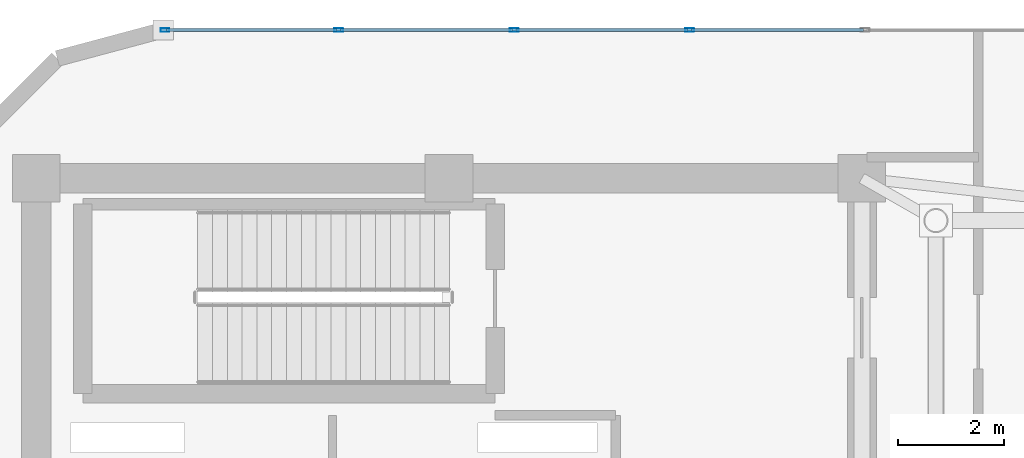
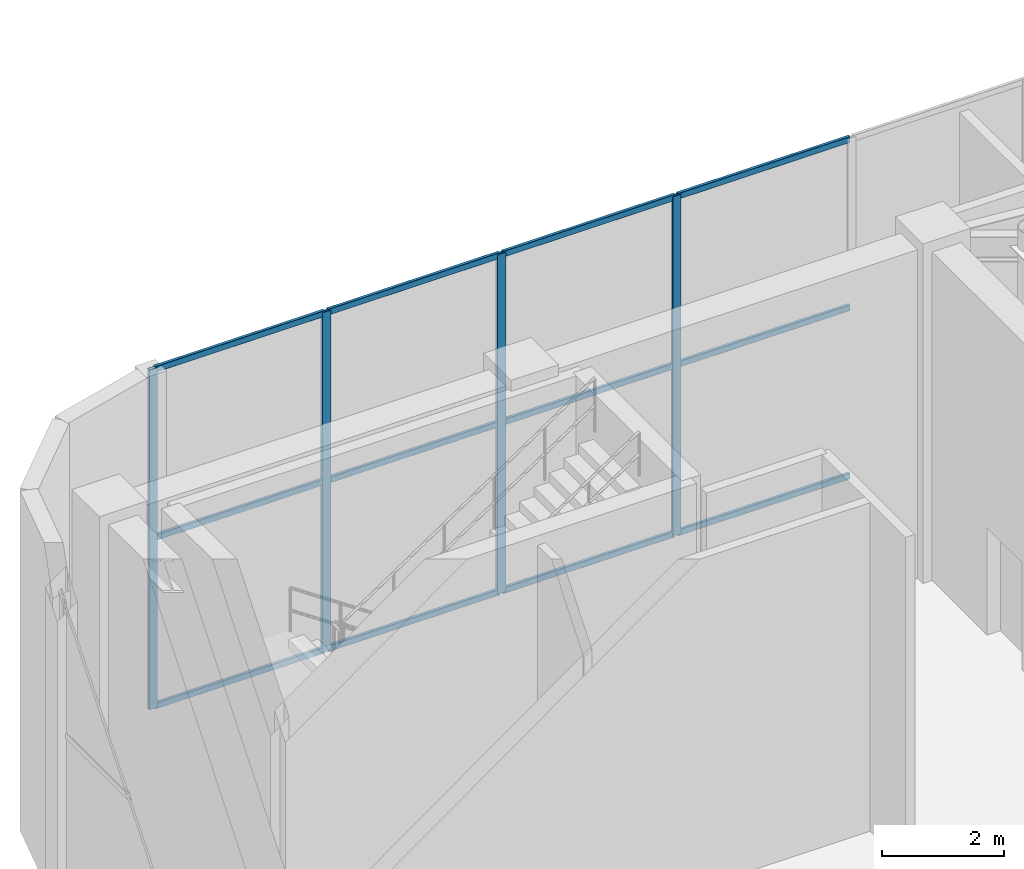
# One storey, part 13 of 24: 16 members, 1 element without a shape of its own.
"""IFC4 building model written with IfcOpenShell, lengths in metres."""

from ifc_helpers import new_model, si_unit, direction, frame, origin, origin_2d, place, context, subcontext, project, spatial, hollow_rectangle, extrude, material, layer, layer_set, material_profile, profile_set, type_object, element, aggregate, save


model = new_model("IFC4")

# Units and contexts
model_context = context("Model", 3, precision=1e-05, world=origin(), true_north=direction((0.0, 1.0)))
body_context = subcontext(model_context, "Body", "Model", "MODEL_VIEW")
ifc_project = project(units=[si_unit("LENGTHUNIT", "METRE"), si_unit("AREAUNIT", "SQUARE_METRE"), si_unit("VOLUMEUNIT", "CUBIC_METRE"), si_unit("PLANEANGLEUNIT", "RADIAN"), si_unit("MASSUNIT", "GRAM", prefix="KILO")], contexts=[model_context])

# Site, building, storey
site_placement = place(None, origin())
site = spatial("IfcSite", under=ifc_project, at=site_placement, CompositionType="ELEMENT")
building_placement = place(site_placement, origin())
building = spatial("IfcBuilding", under=site, at=building_placement, Name="An Khanh Terracotta Commons", CompositionType="ELEMENT")
storey_placement = place(building_placement, frame((0.0, 0.0, 315.199951171875)))
storey = spatial("IfcBuildingStorey", under=building, at=storey_placement, Name="L80 Crown Cooling Plant", CompositionType="ELEMENT", Elevation=315.199951171875)

# Curtain wall, members
ifc_material = material(Name="Anodised Aluminium 6063-T6", Category="aluminium")
ifc_layer = layer(ifc_material, 0.18994140625, Name="Anodised Aluminium 6063-T6")
ifc_layer_set = layer_set([ifc_layer], Name="Anodised Aluminium 6063-T6")
curtain_wall_type = type_object("IfcCurtainWallType", Name="CW-SYS-06", PredefinedType="USERDEFINED", material=ifc_layer_set)
curtain_wall_placement = place(storey_placement, origin())
curtain_wall = element("IfcCurtainWall", 1, at=curtain_wall_placement, inside=storey, type_object=curtain_wall_type, Name="L80 Crown Cooling Plant CW-06 Unitised Curtain Wall CW-L80-20", ObjectType="UNITISED CURTAIN WALL", PredefinedType="USERDEFINED")
ifc_material_profile_1 = material_profile(ifc_material, hollow_rectangle(XDim=0.06494140625, YDim=0.1650390625, WallThickness=0.00390625, InnerFilletRadius=0.00390625, OuterFilletRadius=0.008056640625, at=origin_2d()), Name="RHS165x65x4")
ifc_profile_set_1 = profile_set([ifc_material_profile_1], Name="Anodised Aluminium 6063-T6")
member_type_1 = type_object("IfcMemberType", Name="CWM-RHS165x65x4", PredefinedType="MULLION", material=ifc_profile_set_1)
member_1_placement = place(storey_placement, frame((33.947021484375, 36.39990234375, 0.0), z_axis=(0.0, 0.0, 1.0), x_axis=(0.0, -1.0, 0.0)))
member_1 = element("IfcMember", 2, at=member_1_placement, type_object=member_type_1, Name="CW-06 mullion 7", PredefinedType="MULLION", context=body_context, shape_type="SweptSolid", body=[
    extrude(hollow_rectangle(XDim=0.06494140625, YDim=0.1650390625, WallThickness=0.00390625, InnerFilletRadius=0.00390625, OuterFilletRadius=0.008056640625, at=origin_2d()), origin(), (0.0, 0.0, 1.0), 6.800048828125),
])
member_2_placement = place(storey_placement, frame((30.63134765625, 36.39990234375, 0.0), z_axis=(0.0, 0.0, 1.0), x_axis=(0.0, -1.0, 0.0)))
member_2 = element("IfcMember", 3, at=member_2_placement, type_object=member_type_1, Name="CW-06 mullion 8", PredefinedType="MULLION", context=body_context, shape_type="SweptSolid", body=[
    extrude(hollow_rectangle(XDim=0.06494140625, YDim=0.1650390625, WallThickness=0.00390625, InnerFilletRadius=0.00390625, OuterFilletRadius=0.008056640625, at=origin_2d()), origin(), (0.0, 0.0, 1.0), 6.800048828125),
])
member_3_placement = place(storey_placement, frame((27.315673828125, 36.39990234375, 0.0), z_axis=(0.0, 0.0, 1.0), x_axis=(0.0, -1.0, 0.0)))
member_3 = element("IfcMember", 4, at=member_3_placement, type_object=member_type_1, Name="CW-06 mullion 9", PredefinedType="MULLION", context=body_context, shape_type="SweptSolid", body=[
    extrude(hollow_rectangle(XDim=0.06494140625, YDim=0.1650390625, WallThickness=0.00390625, InnerFilletRadius=0.00390625, OuterFilletRadius=0.008056640625, at=origin_2d()), origin(), (0.0, 0.0, 1.0), 6.800048828125),
])
member_4_placement = place(storey_placement, frame((24.032470703125, 36.39990234375, 0.0), z_axis=(0.0, 0.0, 1.0), x_axis=(0.0, -1.0, 0.0)))
member_4 = element("IfcMember", 5, at=member_4_placement, type_object=member_type_1, Name="CW-06 mullion 10", PredefinedType="MULLION", context=body_context, shape_type="SweptSolid", body=[
    extrude(hollow_rectangle(XDim=0.06494140625, YDim=0.1650390625, WallThickness=0.00390625, InnerFilletRadius=0.00390625, OuterFilletRadius=0.008056640625, at=origin_2d()), origin(), (0.0, 0.0, 1.0), 6.800048828125),
])
ifc_material_profile_2 = material_profile(ifc_material, hollow_rectangle(XDim=0.06005859375, YDim=0.1201171875, WallThickness=0.003662109375, InnerFilletRadius=0.003662109375, OuterFilletRadius=0.007080078125, at=origin_2d()), Name="RHS120x60x3.6")
ifc_profile_set_2 = profile_set([ifc_material_profile_2], Name="Anodised Aluminium 6063-T6")
member_type_2 = type_object("IfcMemberType", Name="CWT-RHS120x60x3.6", PredefinedType="USERDEFINED", material=ifc_profile_set_2)
member_5_placement = place(storey_placement, frame((37.230224609375, 36.39990234375, 0.030029296875), z_axis=(-1.0, 0.0, 0.0), x_axis=(0.0, -1.0, 0.0)))
member_5 = element("IfcMember", 6, at=member_5_placement, type_object=member_type_2, Name="CW-06 transom 6.1", ObjectType="TRANSOM", PredefinedType="USERDEFINED", context=body_context, shape_type="SweptSolid", body=[
    extrude(hollow_rectangle(XDim=0.06005859375, YDim=0.1201171875, WallThickness=0.003662109375, InnerFilletRadius=0.003662109375, OuterFilletRadius=0.007080078125, at=origin_2d()), origin(), (0.0, 0.0, 1.0), 3.250732421875),
])
member_6_placement = place(storey_placement, frame((37.230224609375, 36.39990234375, 3.400146484375), z_axis=(-1.0, 0.0, 0.0), x_axis=(0.0, -1.0, 0.0)))
member_6 = element("IfcMember", 7, at=member_6_placement, type_object=member_type_2, Name="CW-06 transom 6.2", ObjectType="TRANSOM", PredefinedType="USERDEFINED", context=body_context, shape_type="SweptSolid", body=[
    extrude(hollow_rectangle(XDim=0.06005859375, YDim=0.1201171875, WallThickness=0.003662109375, InnerFilletRadius=0.003662109375, OuterFilletRadius=0.007080078125, at=origin_2d()), origin(), (0.0, 0.0, 1.0), 3.250732421875),
])
member_7_placement = place(storey_placement, frame((37.230224609375, 36.39990234375, 6.77001953125), z_axis=(-1.0, 0.0, 0.0), x_axis=(0.0, -1.0, 0.0)))
member_7 = element("IfcMember", 8, at=member_7_placement, type_object=member_type_2, Name="CW-06 transom 6.3", ObjectType="TRANSOM", PredefinedType="USERDEFINED", context=body_context, shape_type="SweptSolid", body=[
    extrude(hollow_rectangle(XDim=0.06005859375, YDim=0.1201171875, WallThickness=0.003662109375, InnerFilletRadius=0.003662109375, OuterFilletRadius=0.007080078125, at=origin_2d()), origin(), (0.0, 0.0, 1.0), 3.250732421875),
])
member_8_placement = place(storey_placement, frame((33.91455078125, 36.39990234375, 0.030029296875), z_axis=(-1.0, 0.0, 0.0), x_axis=(0.0, -1.0, 0.0)))
member_8 = element("IfcMember", 9, at=member_8_placement, type_object=member_type_2, Name="CW-06 transom 7.1", ObjectType="TRANSOM", PredefinedType="USERDEFINED", context=body_context, shape_type="SweptSolid", body=[
    extrude(hollow_rectangle(XDim=0.06005859375, YDim=0.1201171875, WallThickness=0.003662109375, InnerFilletRadius=0.003662109375, OuterFilletRadius=0.007080078125, at=origin_2d()), origin(), (0.0, 0.0, 1.0), 3.250732421875),
])
member_9_placement = place(storey_placement, frame((33.91455078125, 36.39990234375, 3.400146484375), z_axis=(-1.0, 0.0, 0.0), x_axis=(0.0, -1.0, 0.0)))
member_9 = element("IfcMember", 10, at=member_9_placement, type_object=member_type_2, Name="CW-06 transom 7.2", ObjectType="TRANSOM", PredefinedType="USERDEFINED", context=body_context, shape_type="SweptSolid", body=[
    extrude(hollow_rectangle(XDim=0.06005859375, YDim=0.1201171875, WallThickness=0.003662109375, InnerFilletRadius=0.003662109375, OuterFilletRadius=0.007080078125, at=origin_2d()), origin(), (0.0, 0.0, 1.0), 3.250732421875),
])
member_10_placement = place(storey_placement, frame((33.91455078125, 36.39990234375, 6.77001953125), z_axis=(-1.0, 0.0, 0.0), x_axis=(0.0, -1.0, 0.0)))
member_10 = element("IfcMember", 11, at=member_10_placement, type_object=member_type_2, Name="CW-06 transom 7.3", ObjectType="TRANSOM", PredefinedType="USERDEFINED", context=body_context, shape_type="SweptSolid", body=[
    extrude(hollow_rectangle(XDim=0.06005859375, YDim=0.1201171875, WallThickness=0.003662109375, InnerFilletRadius=0.003662109375, OuterFilletRadius=0.007080078125, at=origin_2d()), origin(), (0.0, 0.0, 1.0), 3.250732421875),
])
member_11_placement = place(storey_placement, frame((30.598876953125, 36.39990234375, 0.030029296875), z_axis=(-1.0, 0.0, 0.0), x_axis=(0.0, -1.0, 0.0)))
member_11 = element("IfcMember", 12, at=member_11_placement, type_object=member_type_2, Name="CW-06 transom 8.1", ObjectType="TRANSOM", PredefinedType="USERDEFINED", context=body_context, shape_type="SweptSolid", body=[
    extrude(hollow_rectangle(XDim=0.06005859375, YDim=0.1201171875, WallThickness=0.003662109375, InnerFilletRadius=0.003662109375, OuterFilletRadius=0.007080078125, at=origin_2d()), origin(), (0.0, 0.0, 1.0), 3.250732421875),
])
member_12_placement = place(storey_placement, frame((30.598876953125, 36.39990234375, 3.400146484375), z_axis=(-1.0, 0.0, 0.0), x_axis=(0.0, -1.0, 0.0)))
member_12 = element("IfcMember", 13, at=member_12_placement, type_object=member_type_2, Name="CW-06 transom 8.2", ObjectType="TRANSOM", PredefinedType="USERDEFINED", context=body_context, shape_type="SweptSolid", body=[
    extrude(hollow_rectangle(XDim=0.06005859375, YDim=0.1201171875, WallThickness=0.003662109375, InnerFilletRadius=0.003662109375, OuterFilletRadius=0.007080078125, at=origin_2d()), origin(), (0.0, 0.0, 1.0), 3.250732421875),
])
member_13_placement = place(storey_placement, frame((30.598876953125, 36.39990234375, 6.77001953125), z_axis=(-1.0, 0.0, 0.0), x_axis=(0.0, -1.0, 0.0)))
member_13 = element("IfcMember", 14, at=member_13_placement, type_object=member_type_2, Name="CW-06 transom 8.3", ObjectType="TRANSOM", PredefinedType="USERDEFINED", context=body_context, shape_type="SweptSolid", body=[
    extrude(hollow_rectangle(XDim=0.06005859375, YDim=0.1201171875, WallThickness=0.003662109375, InnerFilletRadius=0.003662109375, OuterFilletRadius=0.007080078125, at=origin_2d()), origin(), (0.0, 0.0, 1.0), 3.250732421875),
])
member_14_placement = place(storey_placement, frame((27.283203125, 36.39990234375, 0.030029296875), z_axis=(-1.0, 0.0, 0.0), x_axis=(0.0, -1.0, 0.0)))
member_14 = element("IfcMember", 15, at=member_14_placement, type_object=member_type_2, Name="CW-06 transom 9.1", ObjectType="TRANSOM", PredefinedType="USERDEFINED", context=body_context, shape_type="SweptSolid", body=[
    extrude(hollow_rectangle(XDim=0.06005859375, YDim=0.1201171875, WallThickness=0.003662109375, InnerFilletRadius=0.003662109375, OuterFilletRadius=0.007080078125, at=origin_2d()), origin(), (0.0, 0.0, 1.0), 3.21826171875),
])
member_15_placement = place(storey_placement, frame((27.283203125, 36.39990234375, 3.400146484375), z_axis=(-1.0, 0.0, 0.0), x_axis=(0.0, -1.0, 0.0)))
member_15 = element("IfcMember", 16, at=member_15_placement, type_object=member_type_2, Name="CW-06 transom 9.2", ObjectType="TRANSOM", PredefinedType="USERDEFINED", context=body_context, shape_type="SweptSolid", body=[
    extrude(hollow_rectangle(XDim=0.06005859375, YDim=0.1201171875, WallThickness=0.003662109375, InnerFilletRadius=0.003662109375, OuterFilletRadius=0.007080078125, at=origin_2d()), origin(), (0.0, 0.0, 1.0), 3.21826171875),
])
member_16_placement = place(storey_placement, frame((27.283203125, 36.39990234375, 6.77001953125), z_axis=(-1.0, 0.0, 0.0), x_axis=(0.0, -1.0, 0.0)))
member_16 = element("IfcMember", 17, at=member_16_placement, type_object=member_type_2, Name="CW-06 transom 9.3", ObjectType="TRANSOM", PredefinedType="USERDEFINED", context=body_context, shape_type="SweptSolid", body=[
    extrude(hollow_rectangle(XDim=0.06005859375, YDim=0.1201171875, WallThickness=0.003662109375, InnerFilletRadius=0.003662109375, OuterFilletRadius=0.007080078125, at=origin_2d()), origin(), (0.0, 0.0, 1.0), 3.21826171875),
])
aggregate(curtain_wall, [member_1, member_2, member_3, member_4, member_5, member_6, member_7, member_8, member_9, member_10, member_11, member_12, member_13, member_14, member_15, member_16])

save(model, "model.ifc")
